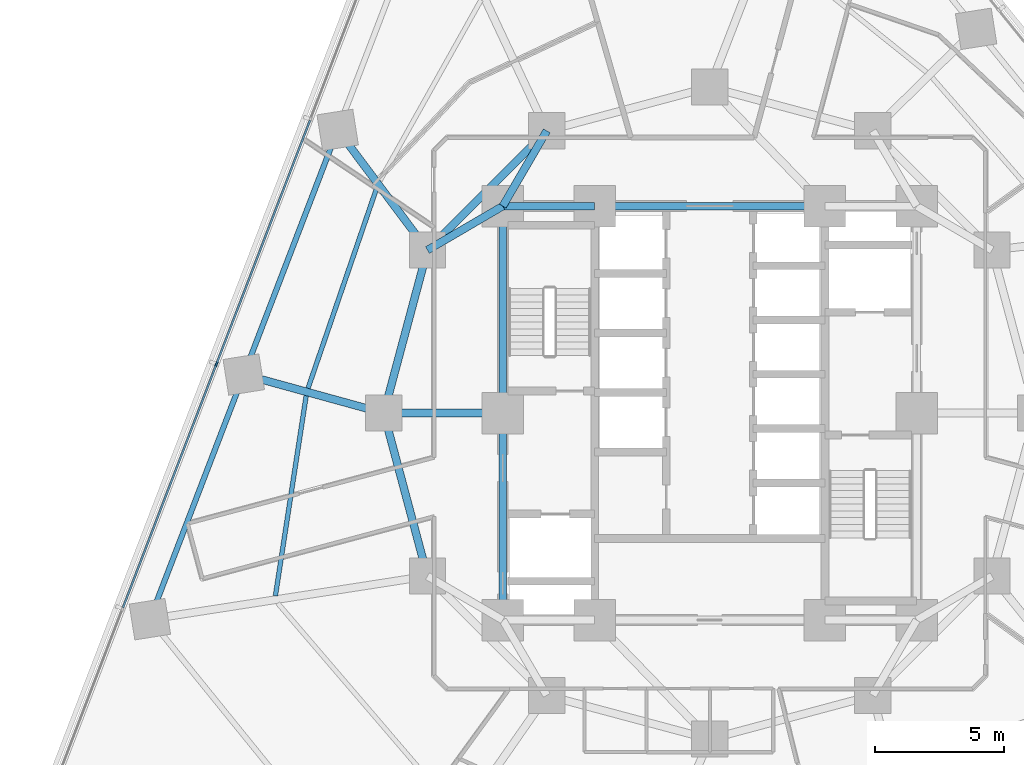
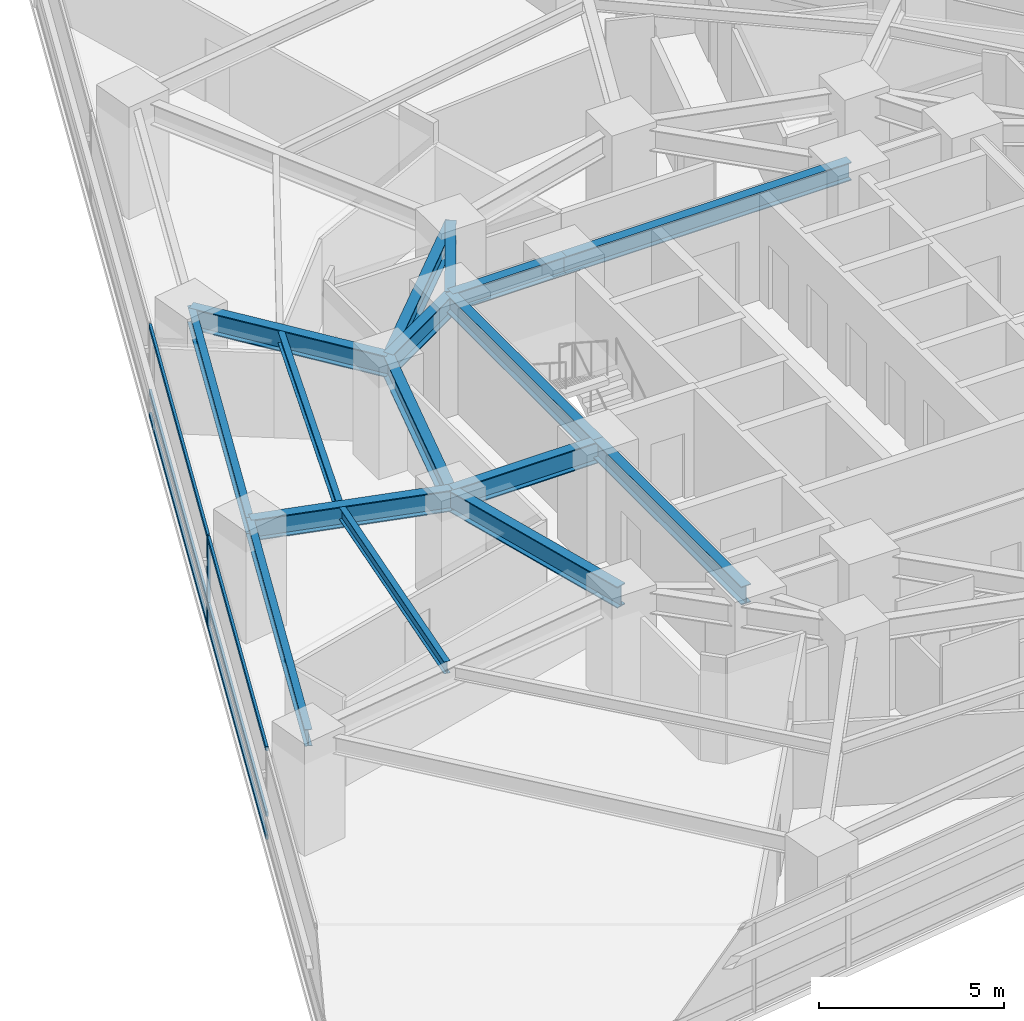
# One storey, part 3 of 13: 16 beams, 7 members, 1 element without a shape of its own.
"""IFC4 building model written with IfcOpenShell, lengths in metres."""

from ifc_helpers import new_model, si_unit, direction, frame, origin, origin_2d, place, context, subcontext, project, spatial, rectangle, i_section, extrude, material, layer, layer_set, material_profile, profile_set, type_object, element, aggregate, save


model = new_model("IFC4")

# Units and contexts
model_context = context("Model", 3, precision=1e-05, world=origin(), true_north=direction((0.0, 1.0)))
body_context = subcontext(model_context, "Body", "Model", "MODEL_VIEW")
ifc_project = project(units=[si_unit("LENGTHUNIT", "METRE"), si_unit("AREAUNIT", "SQUARE_METRE"), si_unit("VOLUMEUNIT", "CUBIC_METRE"), si_unit("PLANEANGLEUNIT", "RADIAN"), si_unit("MASSUNIT", "GRAM", prefix="KILO")], contexts=[model_context])

# Site, building, storey
site_placement = place(None, origin())
site = spatial("IfcSite", under=ifc_project, at=site_placement, CompositionType="ELEMENT")
building_placement = place(site_placement, origin())
building = spatial("IfcBuilding", under=site, at=building_placement, Name="Terralouvre Media Tower", CompositionType="ELEMENT")
storey_placement = place(building_placement, frame((0.0, 0.0, 55.60009765625)))
storey = spatial("IfcBuildingStorey", under=building, at=storey_placement, Name="L13", CompositionType="ELEMENT", Elevation=55.60009765625)

# Beams
ifc_material_1 = material(Name="Structural steel S355J2", Category="steel")
ifc_material_profile_1 = material_profile(ifc_material_1, i_section(OverallWidth=0.179931640625, OverallDepth=0.39990234375, WebThickness=0.008544921875, FlangeThickness=0.013427734375, at=origin_2d()), Name="IPE 400")
ifc_profile_set_1 = profile_set([ifc_material_profile_1], Name="Structural steel S355J2")
beam_type_1 = type_object("IfcBeamType", Name="Composite Floor Joist J-IPE400 (IPE 400)", PredefinedType="JOIST", material=ifc_profile_set_1)
beam_1_placement = place(storey_placement, frame((-12.87841796875, 8.684814453125, 3.2998046875), z_axis=(-0.324414525055, -0.945915015175, 0.0), x_axis=(0.945915015175, -0.324414525055, 0.0)))
element("IfcBeam", 1, at=beam_1_placement, inside=storey, type_object=beam_type_1, Name="L13 Framing Beam JT-L13-11", PredefinedType="JOIST", context=body_context, shape_type="SweptSolid", body=[
    extrude(i_section(OverallWidth=0.179931640625, OverallDepth=0.39990234375, WebThickness=0.008544921875, FlangeThickness=0.013427734375, at=origin_2d()), origin(), (0.0, 0.0, 1.0), 8.165283203125),
])
beam_2_placement = place(storey_placement, frame((-15.598876953125, 0.6708984375, 3.2998046875), z_axis=(-0.152106420826, -0.988364121538, 0.0), x_axis=(0.988364121538, -0.152106420826, 0.0)))
element("IfcBeam", 2, at=beam_2_placement, inside=storey, type_object=beam_type_1, Name="L13 Framing Beam JT-L13-12", PredefinedType="JOIST", context=body_context, shape_type="SweptSolid", body=[
    extrude(i_section(OverallWidth=0.179931640625, OverallDepth=0.39990234375, WebThickness=0.008544921875, FlangeThickness=0.013427734375, at=origin_2d()), origin(), (0.0, 0.0, 1.0), 7.82470703125),
])

# Curtain wall, members
ifc_material_2 = material(Name="Low-iron laminated double glazing with solar-control coating", Category="glass")
ifc_layer = layer(ifc_material_2, 0.1650390625, Name="Lower Media Tower Unitised Curtain Wall CW-02")
ifc_layer_set = layer_set([ifc_layer], Name="Low-iron laminated double glazing with solar-control coating")
curtain_wall_type = type_object("IfcCurtainWallType", Name="Lower Media Tower Unitised Curtain Wall CW-02", PredefinedType="NOTDEFINED", material=ifc_layer_set)
curtain_wall_placement = place(storey_placement, origin())
curtain_wall = element("IfcCurtainWall", 3, at=curtain_wall_placement, inside=storey, type_object=curtain_wall_type, Name="L13 Facade Curtain Wall F2", PredefinedType="NOTDEFINED")
ifc_material_3 = material(Name="Anodised extruded aluminium 6063-T6", Category="aluminium")
ifc_material_profile_2 = material_profile(ifc_material_3, rectangle(XDim=0.074951171875, YDim=0.14990234375, at=origin_2d()), Name="ALU 75x150")
ifc_profile_set_2 = profile_set([ifc_material_profile_2], Name="Anodised extruded aluminium 6063-T6")
member_type_1 = type_object("IfcMemberType", Name="Curtain-Wall Horizontal Transom TR-150", PredefinedType="USERDEFINED", material=ifc_profile_set_2)
member_1_placement = place(storey_placement, frame((-15.449951171875, 11.314697265625, 0.037353515625), z_axis=(-0.358357340084, -0.933584499019, 0.0), x_axis=(0.933584499019, -0.358357340084, 0.0)))
member_1 = element("IfcMember", 4, at=member_1_placement, type_object=member_type_1, Name="CW-02 transom 3.1", ObjectType="TRANSOM", PredefinedType="USERDEFINED", context=body_context, shape_type="SweptSolid", body=[
    extrude(rectangle(XDim=0.074951171875, YDim=0.14990234375, at=origin_2d()), origin(), (0.0, 0.0, 1.0), 10.052978515625),
])
member_2_placement = place(storey_placement, frame((-15.449951171875, 11.314697265625, 0.7998046875), z_axis=(-0.358357340084, -0.933584499019, 0.0), x_axis=(0.933584499019, -0.358357340084, 0.0)))
member_2 = element("IfcMember", 5, at=member_2_placement, type_object=member_type_1, Name="CW-02 transom 3.2", ObjectType="TRANSOM", PredefinedType="USERDEFINED", context=body_context, shape_type="SweptSolid", body=[
    extrude(rectangle(XDim=0.074951171875, YDim=0.14990234375, at=origin_2d()), origin(), (0.0, 0.0, 1.0), 10.052978515625),
])
member_3_placement = place(storey_placement, frame((-15.449951171875, 11.314697265625, 2.96240234375), z_axis=(-0.358357340084, -0.933584499019, 0.0), x_axis=(0.933584499019, -0.358357340084, 0.0)))
member_3 = element("IfcMember", 6, at=member_3_placement, type_object=member_type_1, Name="CW-02 transom 3.3", ObjectType="TRANSOM", PredefinedType="USERDEFINED", context=body_context, shape_type="SweptSolid", body=[
    extrude(rectangle(XDim=0.074951171875, YDim=0.14990234375, at=origin_2d()), origin(), (0.0, 0.0, 1.0), 10.052978515625),
])
member_4_placement = place(storey_placement, frame((-19.079345703125, 1.859375, 0.037353515625), z_axis=(-0.358378506594, -0.933576373957, 0.0), x_axis=(0.933576373957, -0.358378506594, 0.0)))
member_4 = element("IfcMember", 7, at=member_4_placement, type_object=member_type_1, Name="CW-02 transom 4.1", ObjectType="TRANSOM", PredefinedType="USERDEFINED", context=body_context, shape_type="SweptSolid", body=[
    extrude(rectangle(XDim=0.074951171875, YDim=0.14990234375, at=origin_2d()), origin(), (0.0, 0.0, 1.0), 10.052978515625),
])
member_5_placement = place(storey_placement, frame((-19.079345703125, 1.859375, 0.7998046875), z_axis=(-0.358378506594, -0.933576373957, 0.0), x_axis=(0.933576373957, -0.358378506594, 0.0)))
member_5 = element("IfcMember", 8, at=member_5_placement, type_object=member_type_1, Name="CW-02 transom 4.2", ObjectType="TRANSOM", PredefinedType="USERDEFINED", context=body_context, shape_type="SweptSolid", body=[
    extrude(rectangle(XDim=0.074951171875, YDim=0.14990234375, at=origin_2d()), origin(), (0.0, 0.0, 1.0), 10.052978515625),
])
member_6_placement = place(storey_placement, frame((-19.079345703125, 1.859375, 2.96240234375), z_axis=(-0.358378506594, -0.933576373957, 0.0), x_axis=(0.933576373957, -0.358378506594, 0.0)))
member_6 = element("IfcMember", 9, at=member_6_placement, type_object=member_type_1, Name="CW-02 transom 4.3", ObjectType="TRANSOM", PredefinedType="USERDEFINED", context=body_context, shape_type="SweptSolid", body=[
    extrude(rectangle(XDim=0.074951171875, YDim=0.14990234375, at=origin_2d()), origin(), (0.0, 0.0, 1.0), 10.052978515625),
])
ifc_material_4 = material(Name="Anodised extruded aluminium 6063-T6", Category="aluminium")
ifc_material_profile_3 = material_profile(ifc_material_4, rectangle(XDim=0.074951171875, YDim=0.179931640625, at=origin_2d()), Name="ALU 75x180")
ifc_profile_set_3 = profile_set([ifc_material_profile_3], Name="Anodised extruded aluminium 6063-T6")
member_type_2 = type_object("IfcMemberType", Name="Curtain-Wall Vertical Mullion ML-180", PredefinedType="MULLION", material=ifc_profile_set_3)
member_7_placement = place(storey_placement, frame((-19.06591796875, 1.89453125, 0.0), z_axis=(0.0, 0.0, 1.0), x_axis=(0.933580438988, -0.358367917006, 0.0)))
member_7 = element("IfcMember", 10, at=member_7_placement, type_object=member_type_2, Name="CW-02 mullion 4", PredefinedType="MULLION", context=body_context, shape_type="SweptSolid", body=[
    extrude(rectangle(XDim=0.074951171875, YDim=0.179931640625, at=origin_2d()), origin(), (0.0, 0.0, 1.0), 3.0),
])
aggregate(curtain_wall, [member_7, member_1, member_2, member_3, member_4, member_5, member_6])

# Beams
ifc_material_5 = material(Name="Structural steel S355J2", Category="steel")
ifc_material_profile_4 = material_profile(ifc_material_5, i_section(OverallWidth=0.2099609375, OverallDepth=0.550048828125, WebThickness=0.010986328125, FlangeThickness=0.01708984375, at=origin_2d()), Name="IPE 550")
ifc_profile_set_4 = profile_set([ifc_material_profile_4], Name="Structural steel S355J2")
beam_type_2 = type_object("IfcBeamType", Name="Perimeter Spandrel Beam SPB-550 (IPE 550)", PredefinedType="SPANDREL", material=ifc_profile_set_4)
for number, where, z_axis, x_axis, name in (
    (11, (-14.38134765625, 10.94482421875, 3.224853515625), (-0.358374878229, -0.933577766795, 0.0), (0.933577766795, -0.358374878229, 0.0), "L13 Framing Beam BM-L13-PR11"),
    (12, (-18.010986328125, 1.489501953125, 3.224853515625), (-0.358374878229, -0.933577766795, 0.0), (0.933577766795, -0.358374878229, 0.0), "L13 Framing Beam BM-L13-PR12"),
):
    element("IfcBeam", number, at=place(storey_placement, frame(where, z_axis=z_axis, x_axis=x_axis)), inside=storey, type_object=beam_type_2, Name=name, PredefinedType="SPANDREL", context=body_context, shape_type="SweptSolid", body=[
        extrude(i_section(OverallWidth=0.2099609375, OverallDepth=0.550048828125, WebThickness=0.010986328125, FlangeThickness=0.01708984375, at=origin_2d()), origin(), (0.0, 0.0, 1.0), 10.1279296875),
    ])
ifc_material_6 = material(Name="Structural steel S460M", Category="steel")
ifc_material_profile_5 = material_profile(ifc_material_6, i_section(OverallWidth=0.300048828125, OverallDepth=0.60009765625, WebThickness=0.015380859375, FlangeThickness=0.030029296875, at=origin_2d()), Name="HEB 600")
ifc_profile_set_5 = profile_set([ifc_material_profile_5], Name="Structural steel S460M")
beam_type_3 = type_object("IfcBeamType", Name="Primary Floor Girder B-HEB600 (HEB 600)", PredefinedType="BEAM", material=ifc_profile_set_5)
beam_3_placement = place(storey_placement, frame((4.449951171875, 8.0, 3.199951171875), z_axis=(-1.0, 0.0, 0.0), x_axis=(0.0, -1.0, 0.0)))
element("IfcBeam", 13, at=beam_3_placement, inside=storey, type_object=beam_type_3, Name="L13 Framing Beam BM-L13-CPR07", PredefinedType="BEAM", context=body_context, shape_type="SweptSolid", body=[
    extrude(i_section(OverallWidth=0.300048828125, OverallDepth=0.60009765625, WebThickness=0.015380859375, FlangeThickness=0.030029296875, at=origin_2d()), origin(), (0.0, 0.0, 1.0), 8.89990234375),
])
beam_4_placement = place(storey_placement, frame((-4.449951171875, 8.0, 3.199951171875), z_axis=(-1.0, 0.0, 0.0), x_axis=(0.0, -1.0, 0.0)))
element("IfcBeam", 14, at=beam_4_placement, inside=storey, type_object=beam_type_3, Name="L13 Framing Beam BM-L13-CPR08", PredefinedType="BEAM", context=body_context, shape_type="SweptSolid", body=[
    extrude(i_section(OverallWidth=0.300048828125, OverallDepth=0.60009765625, WebThickness=0.015380859375, FlangeThickness=0.030029296875, at=origin_2d()), origin(), (0.0, 0.0, 1.0), 3.550048828125),
])
for number, where, z_axis, x_axis, name in (
    (15, (-8.0, 8.0, 3.199951171875), (0.0, -1.0, 0.0), (1.0, 0.0, 0.0), "L13 Framing Beam BM-L13-CPR09"),
    (16, (-8.0, 0.0, 3.199951171875), (0.0, -1.0, 0.0), (1.0, 0.0, 0.0), "L13 Framing Beam BM-L13-CPR10"),
):
    element("IfcBeam", number, at=place(storey_placement, frame(where, z_axis=z_axis, x_axis=x_axis)), inside=storey, type_object=beam_type_3, Name=name, PredefinedType="BEAM", context=body_context, shape_type="SweptSolid", body=[
        extrude(i_section(OverallWidth=0.300048828125, OverallDepth=0.60009765625, WebThickness=0.015380859375, FlangeThickness=0.030029296875, at=origin_2d()), origin(), (0.0, 0.0, 1.0), 8.0),
    ])
ifc_material_7 = material(Name="Structural steel S460M", Category="steel")
ifc_material_profile_6 = material_profile(ifc_material_7, i_section(OverallWidth=0.300048828125, OverallDepth=0.699951171875, WebThickness=0.01708984375, FlangeThickness=0.031982421875, at=origin_2d()), Name="HEB 700")
ifc_profile_set_6 = profile_set([ifc_material_profile_6], Name="Structural steel S460M")
beam_type_4 = type_object("IfcBeamType", Name="Primary Floor Girder B-HEB700 (HEB 700)", PredefinedType="BEAM", material=ifc_profile_set_6)
beam_5_placement = place(storey_placement, frame((-6.300048828125, 10.911865234375, 3.14990234375), z_axis=(-0.707106781187, -0.707106781187, 0.0), x_axis=(0.707106781187, -0.707106781187, 0.0)))
element("IfcBeam", 17, at=beam_5_placement, inside=storey, type_object=beam_type_4, Name="L13 Framing Beam BM-L13-MR10", PredefinedType="BEAM", context=body_context, shape_type="SweptSolid", body=[
    extrude(i_section(OverallWidth=0.300048828125, OverallDepth=0.699951171875, WebThickness=0.01708984375, FlangeThickness=0.031982421875, at=origin_2d()), origin(), (0.0, 0.0, 1.0), 6.52197265625),
])
for number, where, z_axis, x_axis, name in (
    (18, (-10.911865234375, 6.300048828125, 3.14990234375), (-0.258838989821, -0.965920481897, 0.0), (0.965920481897, -0.258838989821, 0.0), "L13 Framing Beam BM-L13-MR11"),
    (19, (-12.60009765625, 0.0, 3.14990234375), (0.258838989821, -0.965920481897, 0.0), (0.965920481897, 0.258838989821, 0.0), "L13 Framing Beam BM-L13-MR12"),
):
    element("IfcBeam", number, at=place(storey_placement, frame(where, z_axis=z_axis, x_axis=x_axis)), inside=storey, type_object=beam_type_4, Name=name, PredefinedType="BEAM", context=body_context, shape_type="SweptSolid", body=[
        extrude(i_section(OverallWidth=0.300048828125, OverallDepth=0.699951171875, WebThickness=0.01708984375, FlangeThickness=0.031982421875, at=origin_2d()), origin(), (0.0, 0.0, 1.0), 6.522216796875),
    ])
for number, where, z_axis, x_axis, name in (
    (20, (-8.0, 8.0, 3.14990234375), (0.504172629717, 0.863602894532, 0.0), (-0.863602894532, 0.504172629717, 0.0), "L13 Framing Beam BM-L13-CM10"),
    (21, (-8.0, 8.0, 3.14990234375), (-0.863602894532, -0.504172629717, 0.0), (0.504172629717, -0.863602894532, 0.0), "L13 Framing Beam BM-L13-CM11"),
):
    element("IfcBeam", number, at=place(storey_placement, frame(where, z_axis=z_axis, x_axis=x_axis)), inside=storey, type_object=beam_type_4, Name=name, PredefinedType="BEAM", context=body_context, shape_type="SweptSolid", body=[
        extrude(i_section(OverallWidth=0.300048828125, OverallDepth=0.699951171875, WebThickness=0.01708984375, FlangeThickness=0.031982421875, at=origin_2d()), origin(), (0.0, 0.0, 1.0), 3.371826171875),
    ])
beam_6_placement = place(storey_placement, frame((-8.0, 0.0, 3.14990234375), z_axis=(-1.0, 0.0, 0.0), x_axis=(0.0, -1.0, 0.0)))
element("IfcBeam", 22, at=beam_6_placement, inside=storey, type_object=beam_type_4, Name="L13 Framing Beam BM-L13-CM12", PredefinedType="BEAM", context=body_context, shape_type="SweptSolid", body=[
    extrude(i_section(OverallWidth=0.300048828125, OverallDepth=0.699951171875, WebThickness=0.01708984375, FlangeThickness=0.031982421875, at=origin_2d()), origin(), (0.0, 0.0, 1.0), 4.60009765625),
])
beam_7_placement = place(storey_placement, frame((-10.911865234375, 6.300048828125, 3.14990234375), z_axis=(-0.598442434067, 0.801165808749, 0.0), x_axis=(-0.801165808749, -0.598442434067, 0.0)))
element("IfcBeam", 23, at=beam_7_placement, inside=storey, type_object=beam_type_4, Name="L13 Framing Beam BM-L13-RD11", PredefinedType="BEAM", context=body_context, shape_type="SweptSolid", body=[
    extrude(i_section(OverallWidth=0.300048828125, OverallDepth=0.699951171875, WebThickness=0.01708984375, FlangeThickness=0.031982421875, at=origin_2d()), origin(), (0.0, 0.0, 1.0), 5.797607421875),
])
beam_8_placement = place(storey_placement, frame((-12.60009765625, 0.0, 3.14990234375), z_axis=(-0.964136682273, 0.265406212992, 0.0), x_axis=(-0.265406212992, -0.964136682273, 0.0)))
element("IfcBeam", 24, at=beam_8_placement, inside=storey, type_object=beam_type_4, Name="L13 Framing Beam BM-L13-RD12", PredefinedType="BEAM", context=body_context, shape_type="SweptSolid", body=[
    extrude(i_section(OverallWidth=0.300048828125, OverallDepth=0.699951171875, WebThickness=0.01708984375, FlangeThickness=0.031982421875, at=origin_2d()), origin(), (0.0, 0.0, 1.0), 5.612060546875),
])

save(model, "model.ifc")
